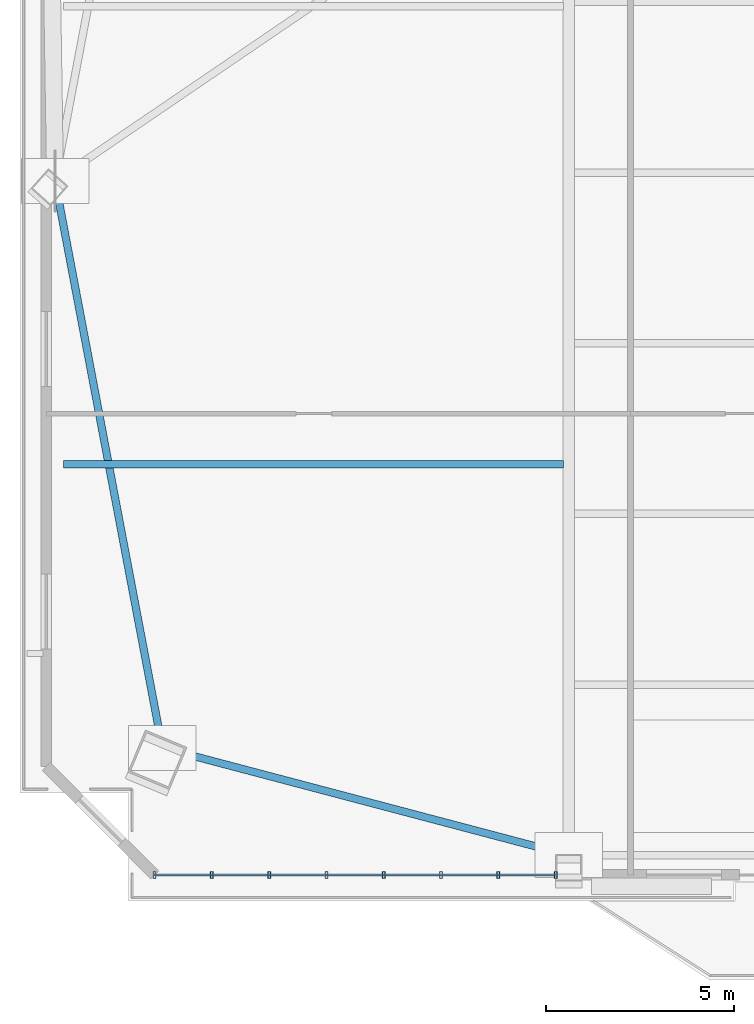
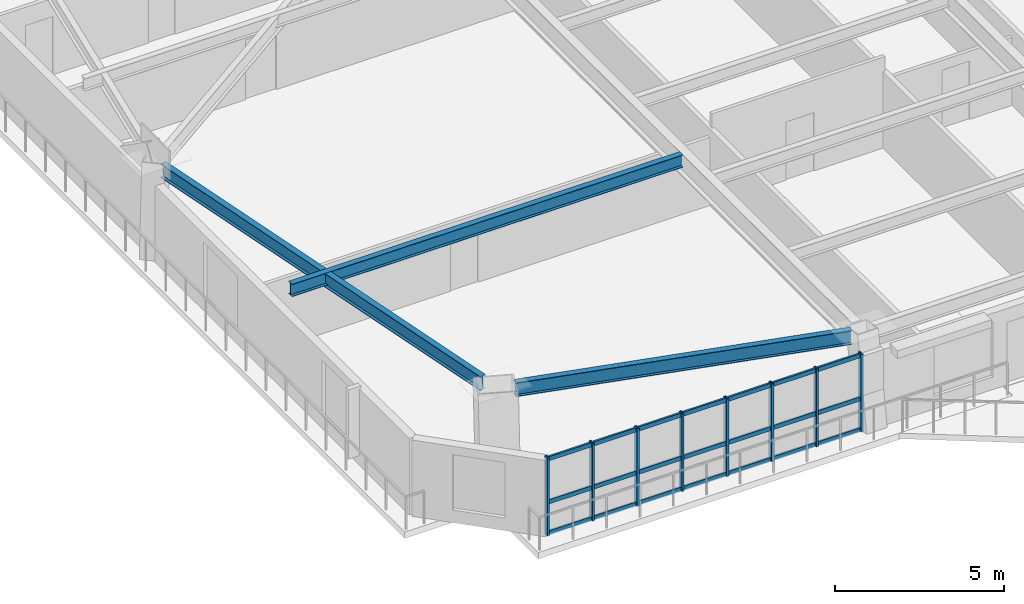
# One storey, part 2 of 15: 11 members, 3 beams, 1 element without a shape of its own.
"""IFC4 building model written with IfcOpenShell, lengths in metres."""

import ifcopenshell
import ifcopenshell.guid

model = None  # the IFC model being written
_history = None  # IfcOwnerHistory: only IFC2X3 demands one
_inside = {}  # id of a spatial element -> (the spatial element, [elements in it])
_under = {}  # id of a project, library or spatial element -> (it, [spatial elements below it])
_declared = {}  # id of a project -> (the project, [libraries it declares])
_typed = {}  # id of a type object -> (the type object, [elements of that type])
_made_of = {}  # id of a material, layer set ... -> (it, [elements and type objects made of it])


def new_model(schema):
    """Start an empty IFC model of exactly this schema.

    Asked for "IFC4X3", IfcOpenShell would pick the latest addendum, in which some entities
    have other attributes; the version numbers below select the first issue.
    IFC2X3 requires an IfcOwnerHistory on every rooted entity: one is made here for all.
    """
    global model, _history
    if schema == "IFC4X3":
        model = ifcopenshell.file(schema_version=(4, 3, 0, 0))
    else:
        model = ifcopenshell.file(schema=schema)
    _inside.clear()
    _under.clear()
    _declared.clear()
    _typed.clear()
    _made_of.clear()
    _history = None
    if model.schema == "IFC2X3":
        org = make("IfcOrganization", Name="unknown")
        user = make(
            "IfcPersonAndOrganization",
            ThePerson=make("IfcPerson", FamilyName="unknown"),
            TheOrganization=org,
        )
        app = make(
            "IfcApplication",
            ApplicationDeveloper=org,
            Version="unknown",
            ApplicationFullName="unknown",
            ApplicationIdentifier="unknown",
        )
        _history = make(
            "IfcOwnerHistory",
            OwningUser=user,
            OwningApplication=app,
            ChangeAction="ADDED",
            CreationDate=0,
        )
    return model


def make(cls, **values):
    """One entity of the class cls with the attributes given. An attribute that is None is left unset."""
    return model.create_entity(
        cls, **{name: value for name, value in values.items() if value is not None}
    )


def rooted(cls, **values):
    """An entity with a GlobalId (a new one), such as an element, a storey or a relation."""
    return make(cls, GlobalId=ifcopenshell.guid.new(), OwnerHistory=_history, **values)


def si_unit(unit_type, name, prefix=None):
    """IfcSIUnit, for example si_unit("LENGTHUNIT", "METRE", prefix="MILLI")."""
    return make("IfcSIUnit", UnitType=unit_type, Prefix=prefix, Name=name)


def assignment(units):
    """IfcUnitAssignment: the units of a project."""
    return None if units is None else make("IfcUnitAssignment", Units=units)


def point(xyz):
    """IfcCartesianPoint."""
    return None if xyz is None else make("IfcCartesianPoint", Coordinates=xyz)


def direction(xyz):
    """IfcDirection."""
    return None if xyz is None else make("IfcDirection", DirectionRatios=xyz)


def frame(location, z_axis=None, x_axis=None):
    """IfcAxis2Placement3D, a coordinate frame: its origin and axes. An axis left out is left unset."""
    return make(
        "IfcAxis2Placement3D",
        Location=point(location),
        Axis=direction(z_axis),
        RefDirection=direction(x_axis),
    )


def frame_2d(location, x_axis=None):
    """IfcAxis2Placement2D, a coordinate frame in the plane: its origin and x axis."""
    return make(
        "IfcAxis2Placement2D", Location=point(location), RefDirection=direction(x_axis)
    )


def origin():
    """The frame at (0, 0, 0) with its axes left unset."""
    return frame((0.0, 0.0, 0.0))


def origin_2d():
    """The frame at (0, 0) in the plane with its x axis left unset."""
    return frame_2d((0.0, 0.0))


def place(relative_to, where):
    """IfcLocalPlacement: puts the frame where relative to a parent placement (None: the world)."""
    return make(
        "IfcLocalPlacement", PlacementRelTo=relative_to, RelativePlacement=where
    )


def context(
    kind, dimensions, precision=None, world=None, true_north=None, identifier=None
):
    """IfcGeometricRepresentationContext, for example the 3D "Model" context."""
    return make(
        "IfcGeometricRepresentationContext",
        ContextIdentifier=identifier,
        ContextType=kind,
        CoordinateSpaceDimension=dimensions,
        Precision=precision,
        WorldCoordinateSystem=world,
        TrueNorth=true_north,
    )


def subcontext(parent, identifier, kind, view, scale=None):
    """IfcGeometricRepresentationSubContext, for example "Body" below "Model"."""
    return make(
        "IfcGeometricRepresentationSubContext",
        ContextIdentifier=identifier,
        ContextType=kind,
        ParentContext=parent,
        TargetScale=scale,
        TargetView=view,
    )


def project(units=None, contexts=None):
    """IfcProject with its units and contexts."""
    return rooted(
        "IfcProject",
        Name="project",
        RepresentationContexts=contexts,
        UnitsInContext=assignment(units),
    )


def spatial(cls, under=None, at=None, **own):
    """A site, building, storey or space (cls), placed at a placement, below another one or the project."""
    s = rooted(cls, ObjectPlacement=at, **own)
    if under is not None:
        _under.setdefault(under.id(), (under, []))[1].append(s)
    return s


def profile(cls, at=None, kind="AREA", **sizes):
    """A parametric profile (cls). Its sizes go by their IFC names, for example OverallWidth=200.0."""
    return make(cls, ProfileType=kind, Position=at, **sizes)


def hollow_rectangle(**sizes):
    """IfcRectangleHollowProfileDef."""
    return profile("IfcRectangleHollowProfileDef", **sizes)


def i_section(**sizes):
    """IfcIShapeProfileDef."""
    return profile("IfcIShapeProfileDef", **sizes)


def extrude(swept, where, along, depth):
    """IfcExtrudedAreaSolid: the profile swept, set in the frame where, extruded along a direction by depth."""
    return make(
        "IfcExtrudedAreaSolid",
        SweptArea=swept,
        Position=where,
        ExtrudedDirection=direction(along),
        Depth=depth,
    )


def shape(context_of_items, identifier, shape_type, items):
    """IfcShapeRepresentation: the items that make up one representation, for example the "Body"."""
    return make(
        "IfcShapeRepresentation",
        ContextOfItems=context_of_items,
        RepresentationIdentifier=identifier,
        RepresentationType=shape_type,
        Items=items,
    )


def source(mapping_origin, context_of_items, identifier, shape_type, items):
    """IfcRepresentationMap: a shape defined once, which mapped items show again and again."""
    return make(
        "IfcRepresentationMap",
        MappingOrigin=mapping_origin,
        MappedRepresentation=shape(context_of_items, identifier, shape_type, items),
    )


def transform(
    local_origin,
    x_axis=None,
    y_axis=None,
    z_axis=None,
    scale=None,
    scale2=None,
    scale3=None,
    uniform=True,
):
    """IfcCartesianTransformationOperator3D, or its non-uniform kind. x_axis, y_axis, z_axis: its Axis1, 2, 3."""
    if uniform:
        return make(
            "IfcCartesianTransformationOperator3D",
            Axis1=direction(x_axis),
            Axis2=direction(y_axis),
            LocalOrigin=point(local_origin),
            Scale=scale,
            Axis3=direction(z_axis),
        )
    return make(
        "IfcCartesianTransformationOperator3DnonUniform",
        Axis1=direction(x_axis),
        Axis2=direction(y_axis),
        LocalOrigin=point(local_origin),
        Scale=scale,
        Axis3=direction(z_axis),
        Scale2=scale2,
        Scale3=scale3,
    )


def mapped(mapping_source, mapping_target):
    """IfcMappedItem: shows the shape of a source again, moved by a transform."""
    return make(
        "IfcMappedItem", MappingSource=mapping_source, MappingTarget=mapping_target
    )


def material(Name=None, Category=None):
    """IfcMaterial."""
    return make("IfcMaterial", Name=Name, Category=Category)


def layer(
    of_material, thickness, ventilated=None, Name=None, Category=None, Priority=None
):
    """IfcMaterialLayer: one layer of a wall or slab, of a material (None: an air gap)."""
    return make(
        "IfcMaterialLayer",
        Material=of_material,
        LayerThickness=thickness,
        IsVentilated=ventilated,
        Name=Name,
        Category=Category,
        Priority=Priority,
    )


def layer_set(layers, Name=None):
    """IfcMaterialLayerSet."""
    return make("IfcMaterialLayerSet", MaterialLayers=layers, LayerSetName=Name)


def material_profile(
    of_material, cross_section, Name=None, Category=None, Priority=None
):
    """IfcMaterialProfile: a cross section and its material."""
    return make(
        "IfcMaterialProfile",
        Name=Name,
        Material=of_material,
        Profile=cross_section,
        Priority=Priority,
        Category=Category,
    )


def profile_set(profiles, Name=None, composite=None):
    """IfcMaterialProfileSet."""
    return make(
        "IfcMaterialProfileSet",
        Name=Name,
        MaterialProfiles=profiles,
        CompositeProfile=composite,
    )


def made_of(thing, what):
    """Note that an element or type object is made of a material, layer set ...; save() writes the relation."""
    if what is not None:
        _made_of.setdefault(what.id(), (what, []))[1].append(thing)
    return thing


def type_object(cls, material=None, **own):
    """A type object (cls), such as IfcWallType, which elements share."""
    return made_of(rooted(cls, **own), material)


def element(
    cls,
    number,
    at=None,
    inside=None,
    cuts=None,
    type_object=None,
    material=None,
    context=None,
    identifier="Body",
    shape_type=None,
    held_by="IfcProductDefinitionShape",
    body=None,
    shapes=None,
    **own,
):
    """One element of the class cls, such as IfcWall. Its Tag is "e" and its number.

    at: its placement. inside: the storey or other place that contains it. cuts: it is an
    opening in that element (IfcRelVoidsElement). A single representation is given by context,
    identifier, shape_type and body (its items); several are given by shapes. held_by: the class
    of the entity that holds the representations. save() writes the other relations.
    """
    e = rooted(cls, Tag="e%d" % number, ObjectPlacement=at, **own)
    if body is not None:
        shapes = [shape(context, identifier, shape_type, body)]
    if shapes is not None:
        e.Representation = make(held_by, Representations=shapes)
    if inside is not None:
        _inside.setdefault(inside.id(), (inside, []))[1].append(e)
    if cuts is not None:
        rooted(
            "IfcRelVoidsElement", RelatingBuildingElement=cuts, RelatedOpeningElement=e
        )
    if type_object is not None:
        _typed.setdefault(type_object.id(), (type_object, []))[1].append(e)
    return made_of(e, material)


def aggregate(whole, parts):
    """IfcRelAggregates: a whole, such as a stair, and the parts it consists of."""
    return rooted("IfcRelAggregates", RelatingObject=whole, RelatedObjects=parts)


def save(model, path):
    """Write the relations noted so far, then the file.

    IfcRelAggregates (storeys below a building ...), IfcRelContainedInSpatialStructure (elements
    in a storey), IfcRelDefinesByType, IfcRelAssociatesMaterial and IfcRelDeclares: one each for
    every whole, place, type object, material and project.
    """
    for whole, parts in _under.values():
        aggregate(whole, parts)
    for where, things in _inside.values():
        rooted(
            "IfcRelContainedInSpatialStructure",
            RelatedElements=things,
            RelatingStructure=where,
        )
    for kind, things in _typed.values():
        rooted("IfcRelDefinesByType", RelatedObjects=things, RelatingType=kind)
    for what, things in _made_of.values():
        rooted("IfcRelAssociatesMaterial", RelatedObjects=things, RelatingMaterial=what)
    for by, libraries in _declared.values():
        rooted("IfcRelDeclares", RelatingContext=by, RelatedDefinitions=libraries)
    model.write(path)


model = new_model("IFC4")

# Units and contexts
model_context = context("Model", 3, precision=1e-05, world=origin(), true_north=direction((0.0, 1.0)))
body_context = subcontext(model_context, "Body", "Model", "MODEL_VIEW")
ifc_project = project(units=[si_unit("LENGTHUNIT", "METRE"), si_unit("AREAUNIT", "SQUARE_METRE"), si_unit("VOLUMEUNIT", "CUBIC_METRE"), si_unit("PLANEANGLEUNIT", "RADIAN"), si_unit("MASSUNIT", "GRAM", prefix="KILO")], contexts=[model_context])

# Site, building, storey
site_placement = place(None, origin())
site = spatial("IfcSite", under=ifc_project, at=site_placement, CompositionType="ELEMENT")
building_placement = place(site_placement, origin())
building = spatial("IfcBuilding", under=site, at=building_placement, Name="Giltprow Tower", CompositionType="ELEMENT")
storey_placement = place(building_placement, frame((0.0, 0.0, 177.199951171875)))
storey = spatial("IfcBuildingStorey", under=building, at=storey_placement, Name="L44", CompositionType="ELEMENT", Elevation=177.199951171875)

# Beams
ifc_material_1 = material(Name="Structural steel Q355B", Category="steel")
ifc_material_profile_1 = material_profile(ifc_material_1, i_section(OverallWidth=0.199951171875, OverallDepth=0.5, WebThickness=0.010009765625, FlangeThickness=0.01611328125, at=origin_2d()), Name="HN 500x200x10x16")
ifc_profile_set_1 = profile_set([ifc_material_profile_1], Name="Structural steel Q355B")
beam_type_1 = type_object("IfcBeamType", Name="BM-SPAN-HN500", PredefinedType="SPANDREL", material=ifc_profile_set_1)
shared_shape_1 = source(origin(), body_context, "Body", "SweptSolid", [
    extrude(i_section(OverallWidth=0.199951171875, OverallDepth=0.5, WebThickness=0.010009765625, FlangeThickness=0.01611328125, at=origin_2d()), origin(), (0.0, 0.0, 1.0), 10.28564453125),
])
beam_1_placement = place(storey_placement, frame((9.5810546875, 12.865966796875, 3.02001953125), z_axis=(0.966860819622, -0.255304045168, 0.0), x_axis=(0.255304045168, 0.966860819622, 0.0)))
element("IfcBeam", 1, at=beam_1_placement, inside=storey, type_object=beam_type_1, Name="L44 Perimeter Spandrel Beam MC_SW-S1", PredefinedType="SPANDREL", context=body_context, shape_type="MappedRepresentation", body=[
    mapped(shared_shape_1, transform((0.0, 0.0, 0.0), x_axis=(1.0, 0.0, 0.0), y_axis=(0.0, 1.0, 0.0), z_axis=(0.0, 0.0, 1.0), scale=1.0)),
])
shared_shape_2 = source(origin(), body_context, "Body", "SweptSolid", [
    extrude(i_section(OverallWidth=0.199951171875, OverallDepth=0.5, WebThickness=0.010009765625, FlangeThickness=0.01611328125, at=origin_2d()), origin(), (0.0, 0.0, 1.0), 14.46044921875),
])
beam_2_placement = place(storey_placement, frame((6.216064453125, 27.798095703125, 3.02001953125), z_axis=(0.186021185186, -0.982545733624, 0.0), x_axis=(0.982545733624, 0.186021185186, 0.0)))
element("IfcBeam", 2, at=beam_2_placement, inside=storey, type_object=beam_type_1, Name="L44 Perimeter Spandrel Beam W_MID-MC_SW", PredefinedType="SPANDREL", context=body_context, shape_type="MappedRepresentation", body=[
    mapped(shared_shape_2, transform((0.0, 0.0, 0.0), x_axis=(1.0, 0.0, 0.0), y_axis=(0.0, 1.0, 0.0), z_axis=(0.0, 0.0, 1.0), scale=1.0)),
])
ifc_material_profile_2 = material_profile(ifc_material_1, i_section(OverallWidth=0.199951171875, OverallDepth=0.449951171875, WebThickness=0.009033203125, FlangeThickness=0.013916015625, at=origin_2d()), Name="HN 450x200x9x14")
ifc_profile_set_2 = profile_set([ifc_material_profile_2], Name="Structural steel Q355B")
beam_type_2 = type_object("IfcBeamType", Name="BM-JOIST-HN450", PredefinedType="JOIST", material=ifc_profile_set_2)
shared_shape_3 = source(origin(), body_context, "Body", "SweptSolid", [
    extrude(i_section(OverallWidth=0.199951171875, OverallDepth=0.449951171875, WebThickness=0.009033203125, FlangeThickness=0.013916015625, at=origin_2d()), origin(), (0.0, 0.0, 1.0), 13.3310546875),
])
beam_3_placement = place(storey_placement, frame((6.3740234375, 20.571044921875, 3.045166015625), z_axis=(1.0, 0.0, 0.0), x_axis=(0.0, 1.0, 0.0)))
element("IfcBeam", 3, at=beam_3_placement, inside=storey, type_object=beam_type_2, Name="L44 West Wing Floor Joist 1", PredefinedType="JOIST", context=body_context, shape_type="MappedRepresentation", body=[
    mapped(shared_shape_3, transform((0.0, 0.0, 0.0), x_axis=(1.0, 0.0, 0.0), y_axis=(0.0, 1.0, 0.0), z_axis=(0.0, 0.0, 1.0), scale=1.0)),
])

# Curtain wall, members
ifc_material_2 = material(Name="Anodized bronze", Category="metal")
ifc_layer = layer(ifc_material_2, 0.179931640625, Name="Anodized bronze")
ifc_layer_set = layer_set([ifc_layer], Name="Anodized bronze")
curtain_wall_type = type_object("IfcCurtainWallType", Name="CW-HTL-BRONZE", PredefinedType="NOTDEFINED", material=ifc_layer_set)
curtain_wall_placement = place(storey_placement, origin())
curtain_wall = element("IfcCurtainWall", 4, at=curtain_wall_placement, inside=storey, type_object=curtain_wall_type, Name="L44 South Recessed Curtain Wall 1", PredefinedType="NOTDEFINED")
ifc_material_profile_3 = material_profile(ifc_material_2, hollow_rectangle(XDim=0.074951171875, YDim=0.179931640625, WallThickness=0.008056640625, at=origin_2d()), Name="RHS 180x75x8")
ifc_profile_set_3 = profile_set([ifc_material_profile_3], Name="Anodized bronze")
member_type_1 = type_object("IfcMemberType", Name="CW-MULLION-180x75", PredefinedType="MULLION", material=ifc_profile_set_3)
shared_shape_4 = source(origin(), body_context, "Body", "SweptSolid", [
    extrude(hollow_rectangle(XDim=0.074951171875, YDim=0.179931640625, WallThickness=0.008056640625, at=origin_2d()), origin(), (0.0, 0.0, 1.0), 2.80517578125),
])
member_1_placement = place(storey_placement, frame((8.805908203125, 9.6259765625, -0.02001953125), z_axis=(0.0, 0.0, 1.0), x_axis=(1.0, 0.0, 0.0)))
member_1 = element("IfcMember", 5, at=member_1_placement, type_object=member_type_1, Name="L44 South Recessed Curtain Wall 1 Mullion 1", PredefinedType="MULLION", context=body_context, shape_type="MappedRepresentation", body=[
    mapped(shared_shape_4, transform((0.0, 0.0, 0.0), x_axis=(1.0, 0.0, 0.0), y_axis=(0.0, 1.0, 0.0), z_axis=(0.0, 0.0, 1.0), scale=1.0)),
])
member_2_placement = place(storey_placement, frame((10.333984375, 9.6259765625, -0.02001953125), z_axis=(0.0, 0.0, 1.0), x_axis=(1.0, 0.0, 0.0)))
member_2 = element("IfcMember", 6, at=member_2_placement, type_object=member_type_1, Name="L44 South Recessed Curtain Wall 1 Mullion 2", PredefinedType="MULLION", context=body_context, shape_type="MappedRepresentation", body=[
    mapped(shared_shape_4, transform((0.0, 0.0, 0.0), x_axis=(1.0, 0.0, 0.0), y_axis=(0.0, 1.0, 0.0), z_axis=(0.0, 0.0, 1.0), scale=1.0)),
])
member_3_placement = place(storey_placement, frame((11.861083984375, 9.6259765625, -0.02001953125), z_axis=(0.0, 0.0, 1.0), x_axis=(1.0, 0.0, 0.0)))
member_3 = element("IfcMember", 7, at=member_3_placement, type_object=member_type_1, Name="L44 South Recessed Curtain Wall 1 Mullion 3", PredefinedType="MULLION", context=body_context, shape_type="MappedRepresentation", body=[
    mapped(shared_shape_4, transform((0.0, 0.0, 0.0), x_axis=(1.0, 0.0, 0.0), y_axis=(0.0, 1.0, 0.0), z_axis=(0.0, 0.0, 1.0), scale=1.0)),
])
member_4_placement = place(storey_placement, frame((13.388916015625, 9.6259765625, -0.02001953125), z_axis=(0.0, 0.0, 1.0), x_axis=(1.0, 0.0, 0.0)))
member_4 = element("IfcMember", 8, at=member_4_placement, type_object=member_type_1, Name="L44 South Recessed Curtain Wall 1 Mullion 4", PredefinedType="MULLION", context=body_context, shape_type="MappedRepresentation", body=[
    mapped(shared_shape_4, transform((0.0, 0.0, 0.0), x_axis=(1.0, 0.0, 0.0), y_axis=(0.0, 1.0, 0.0), z_axis=(0.0, 0.0, 1.0), scale=1.0)),
])
member_5_placement = place(storey_placement, frame((14.9169921875, 9.6259765625, -0.02001953125), z_axis=(0.0, 0.0, 1.0), x_axis=(1.0, 0.0, 0.0)))
member_5 = element("IfcMember", 9, at=member_5_placement, type_object=member_type_1, Name="L44 South Recessed Curtain Wall 1 Mullion 5", PredefinedType="MULLION", context=body_context, shape_type="MappedRepresentation", body=[
    mapped(shared_shape_4, transform((0.0, 0.0, 0.0), x_axis=(1.0, 0.0, 0.0), y_axis=(0.0, 1.0, 0.0), z_axis=(0.0, 0.0, 1.0), scale=1.0)),
])
member_6_placement = place(storey_placement, frame((16.445068359375, 9.6259765625, -0.02001953125), z_axis=(0.0, 0.0, 1.0), x_axis=(1.0, 0.0, 0.0)))
member_6 = element("IfcMember", 10, at=member_6_placement, type_object=member_type_1, Name="L44 South Recessed Curtain Wall 1 Mullion 6", PredefinedType="MULLION", context=body_context, shape_type="MappedRepresentation", body=[
    mapped(shared_shape_4, transform((0.0, 0.0, 0.0), x_axis=(1.0, 0.0, 0.0), y_axis=(0.0, 1.0, 0.0), z_axis=(0.0, 0.0, 1.0), scale=1.0)),
])
member_7_placement = place(storey_placement, frame((17.971923828125, 9.6259765625, -0.02001953125), z_axis=(0.0, 0.0, 1.0), x_axis=(1.0, 0.0, 0.0)))
member_7 = element("IfcMember", 11, at=member_7_placement, type_object=member_type_1, Name="L44 South Recessed Curtain Wall 1 Mullion 7", PredefinedType="MULLION", context=body_context, shape_type="MappedRepresentation", body=[
    mapped(shared_shape_4, transform((0.0, 0.0, 0.0), x_axis=(1.0, 0.0, 0.0), y_axis=(0.0, 1.0, 0.0), z_axis=(0.0, 0.0, 1.0), scale=1.0)),
])
member_8_placement = place(storey_placement, frame((19.5, 9.6259765625, -0.02001953125), z_axis=(0.0, 0.0, 1.0), x_axis=(1.0, 0.0, 0.0)))
member_8 = element("IfcMember", 12, at=member_8_placement, type_object=member_type_1, Name="L44 South Recessed Curtain Wall 1 Mullion 8", PredefinedType="MULLION", context=body_context, shape_type="MappedRepresentation", body=[
    mapped(shared_shape_4, transform((0.0, 0.0, 0.0), x_axis=(1.0, 0.0, 0.0), y_axis=(0.0, 1.0, 0.0), z_axis=(0.0, 0.0, 1.0), scale=1.0)),
])
ifc_material_profile_4 = material_profile(ifc_material_2, hollow_rectangle(XDim=0.06494140625, YDim=0.14990234375, WallThickness=0.006103515625, at=origin_2d()), Name="RHS 150x65x6")
ifc_profile_set_4 = profile_set([ifc_material_profile_4], Name="Anodized bronze")
member_type_2 = type_object("IfcMemberType", Name="CW-TRANSOM-150x65", PredefinedType="USERDEFINED", material=ifc_profile_set_4)
shared_shape_5 = source(origin(), body_context, "Body", "SweptSolid", [
    extrude(hollow_rectangle(XDim=0.06494140625, YDim=0.14990234375, WallThickness=0.006103515625, at=origin_2d()), origin(), (0.0, 0.0, 1.0), 10.694091796875),
])
member_9_placement = place(storey_placement, frame((8.805908203125, 9.6259765625, 0.0400390625), z_axis=(1.0, 0.0, 0.0), x_axis=(0.0, 1.0, 0.0)))
member_9 = element("IfcMember", 13, at=member_9_placement, type_object=member_type_2, Name="L44 South Recessed Curtain Wall 1 Transom 1", ObjectType="TRANSOM", PredefinedType="USERDEFINED", context=body_context, shape_type="MappedRepresentation", body=[
    mapped(shared_shape_5, transform((0.0, 0.0, 0.0), x_axis=(1.0, 0.0, 0.0), y_axis=(0.0, 1.0, 0.0), z_axis=(0.0, 0.0, 1.0), scale=1.0)),
])
member_10_placement = place(storey_placement, frame((8.805908203125, 9.6259765625, 1.155029296875), z_axis=(1.0, 0.0, 0.0), x_axis=(0.0, 1.0, 0.0)))
member_10 = element("IfcMember", 14, at=member_10_placement, type_object=member_type_2, Name="L44 South Recessed Curtain Wall 1 Transom 2", ObjectType="TRANSOM", PredefinedType="USERDEFINED", context=body_context, shape_type="MappedRepresentation", body=[
    mapped(shared_shape_5, transform((0.0, 0.0, 0.0), x_axis=(1.0, 0.0, 0.0), y_axis=(0.0, 1.0, 0.0), z_axis=(0.0, 0.0, 1.0), scale=1.0)),
])
member_11_placement = place(storey_placement, frame((8.805908203125, 9.6259765625, 2.7099609375), z_axis=(1.0, 0.0, 0.0), x_axis=(0.0, 1.0, 0.0)))
member_11 = element("IfcMember", 15, at=member_11_placement, type_object=member_type_2, Name="L44 South Recessed Curtain Wall 1 Transom 3", ObjectType="TRANSOM", PredefinedType="USERDEFINED", context=body_context, shape_type="MappedRepresentation", body=[
    mapped(shared_shape_5, transform((0.0, 0.0, 0.0), x_axis=(1.0, 0.0, 0.0), y_axis=(0.0, 1.0, 0.0), z_axis=(0.0, 0.0, 1.0), scale=1.0)),
])
aggregate(curtain_wall, [member_1, member_2, member_3, member_4, member_5, member_6, member_7, member_8, member_9, member_10, member_11])

save(model, "model.ifc")
